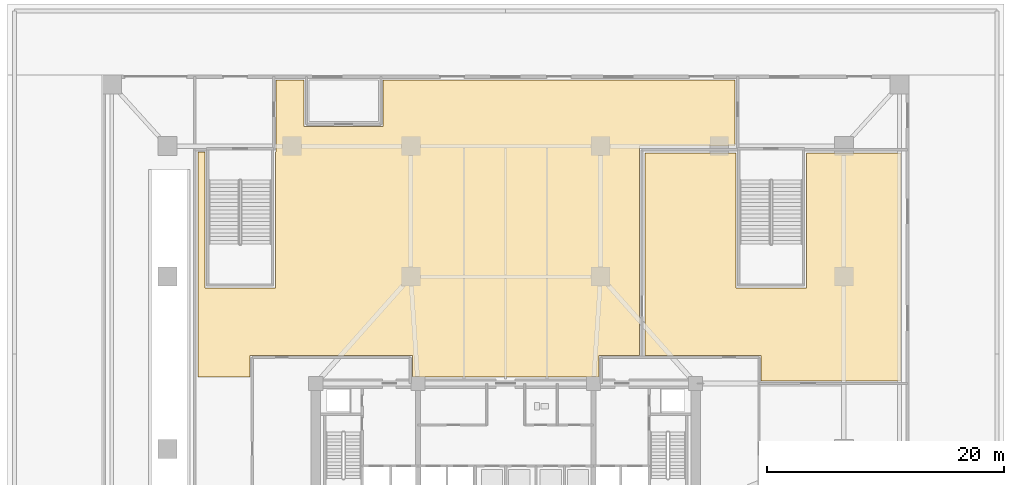
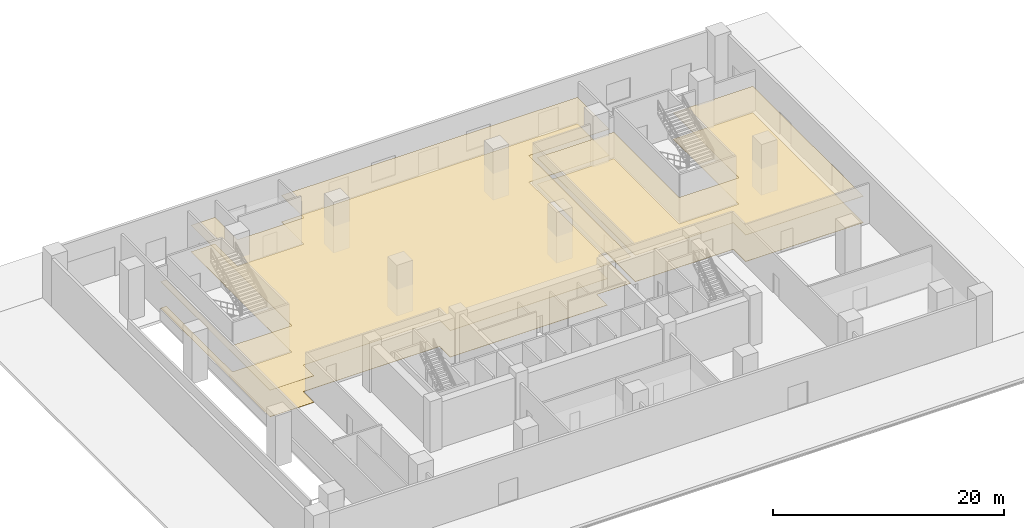
# One storey, part 12 of 15: 4 coverings.
"""IFC4 building model written with IfcOpenShell, lengths in metres."""

from ifc_helpers import new_model, si_unit, direction, frame, origin, place, context, subcontext, project, spatial, polyline, outline, extrude, material, layer, layer_set, type_object, element, save


model = new_model("IFC4")

# Units and contexts
model_context = context("Model", 3, precision=1e-05, world=origin(), true_north=direction((0.0, 1.0)))
body_context = subcontext(model_context, "Body", "Model", "MODEL_VIEW")
ifc_project = project(units=[si_unit("LENGTHUNIT", "METRE"), si_unit("AREAUNIT", "SQUARE_METRE"), si_unit("VOLUMEUNIT", "CUBIC_METRE"), si_unit("PLANEANGLEUNIT", "RADIAN"), si_unit("MASSUNIT", "GRAM", prefix="KILO")], contexts=[model_context])

# Site, building, storey
site_placement = place(None, origin())
site = spatial("IfcSite", under=ifc_project, at=site_placement, CompositionType="ELEMENT")
building_placement = place(site_placement, origin())
building = spatial("IfcBuilding", under=site, at=building_placement, Name="Solmavex Isthmus Hotel", CompositionType="ELEMENT")
storey_placement = place(building_placement, origin())
storey = spatial("IfcBuildingStorey", under=building, at=storey_placement, Name="L01", CompositionType="ELEMENT", Elevation=0.0)

# Coverings
ifc_material_1 = material(Name="Gypsum plasterboard lining", Category="gypsum")
ifc_layer_1 = layer(ifc_material_1, 0.030029296875)
ifc_layer_set_1 = layer_set([ifc_layer_1], Name="Gypsum plasterboard lining")
covering_type_1 = type_object("IfcCoveringType", Name="COV-CEIL-GYP", PredefinedType="CEILING", material=ifc_layer_set_1)
covering_1_placement = place(storey_placement, frame((0.0, 0.0, 2.800048828125)))
element("IfcCovering", 1, at=covering_1_placement, inside=storey, type_object=covering_type_1, Name="Suspended Acoustic Ceiling L01-ATR", PredefinedType="CEILING", context=body_context, shape_type="SweptSolid", body=[
    extrude(outline(polyline([(-19.39990234375, 17.02001953125), (-19.39990234375, 5.550048828125), (-25.35009765625, 5.550048828125), (-25.35009765625, 17.02001953125), (-25.919921875, 17.02001953125), (-25.919921875, -1.969970703125), (-21.530029296875, -1.969970703125), (-21.530029296875, -0.1201171875), (-7.8701171875, -0.1201171875), (-7.8701171875, -1.969970703125), (7.8701171875, -1.969970703125), (7.8701171875, -0.1201171875), (11.27001953125, -0.1201171875), (11.27001953125, 17.530029296875), (19.320068359375, 17.530029296875), (19.320068359375, 23.070068359375), (-10.320068359375, 23.070068359375), (-10.320068359375, 19.169921875), (-16.97998046875, 19.169921875), (-16.97998046875, 23.070068359375), (-19.3701171875, 23.070068359375), (-19.3701171875, 17.02001953125), (-19.39990234375, 17.02001953125)])), origin(), (0.0, 0.0, 1.0), 0.030029296875),
])
covering_2_placement = place(storey_placement, frame((0.0, 0.0, 2.800048828125)))
element("IfcCovering", 2, at=covering_2_placement, inside=storey, type_object=covering_type_1, Name="Suspended Acoustic Ceiling L01-DIN", PredefinedType="CEILING", context=body_context, shape_type="SweptSolid", body=[
    extrude(outline(polyline([(11.72998046875, 16.919921875), (11.72998046875, -0.1201171875), (21.530029296875, -0.1201171875), (21.530029296875, -2.27001953125), (33.320068359375, -2.27001953125), (33.320068359375, 16.919921875), (25.35009765625, 16.919921875), (25.35009765625, 5.550048828125), (19.39990234375, 5.550048828125), (19.39990234375, 16.919921875), (11.72998046875, 16.919921875)])), origin(), (0.0, 0.0, 1.0), 0.030029296875),
])
ifc_material_2 = material(Name="Travertine natural stone", Category="masonry")
ifc_layer_2 = layer(ifc_material_2, 0.02490234375)
ifc_layer_set_2 = layer_set([ifc_layer_2], Name="Travertine natural stone")
covering_type_2 = type_object("IfcCoveringType", Name="COV-FLOR-STN", PredefinedType="FLOORING", material=ifc_layer_set_2)
covering_3_placement = place(storey_placement, origin())
element("IfcCovering", 3, at=covering_3_placement, inside=storey, type_object=covering_type_2, Name="Stone and Timber Floor Finish L01-ATR", PredefinedType="FLOORING", context=body_context, shape_type="SweptSolid", body=[
    extrude(outline(polyline([(-19.39990234375, 17.02001953125), (-19.39990234375, 5.550048828125), (-25.35009765625, 5.550048828125), (-25.35009765625, 17.02001953125), (-25.919921875, 17.02001953125), (-25.919921875, -1.969970703125), (-21.530029296875, -1.969970703125), (-21.530029296875, -0.1201171875), (-7.8701171875, -0.1201171875), (-7.8701171875, -1.969970703125), (7.8701171875, -1.969970703125), (7.8701171875, -0.1201171875), (11.27001953125, -0.1201171875), (11.27001953125, 17.530029296875), (19.320068359375, 17.530029296875), (19.320068359375, 23.070068359375), (-10.320068359375, 23.070068359375), (-10.320068359375, 19.169921875), (-16.97998046875, 19.169921875), (-16.97998046875, 23.070068359375), (-19.3701171875, 23.070068359375), (-19.3701171875, 17.02001953125), (-19.39990234375, 17.02001953125)])), origin(), (0.0, 0.0, 1.0), 0.02490234375),
])
covering_4_placement = place(storey_placement, origin())
element("IfcCovering", 4, at=covering_4_placement, inside=storey, type_object=covering_type_2, Name="Stone and Timber Floor Finish L01-DIN", PredefinedType="FLOORING", context=body_context, shape_type="SweptSolid", body=[
    extrude(outline(polyline([(11.72998046875, 16.919921875), (11.72998046875, -0.1201171875), (21.530029296875, -0.1201171875), (21.530029296875, -2.27001953125), (33.320068359375, -2.27001953125), (33.320068359375, 16.919921875), (25.35009765625, 16.919921875), (25.35009765625, 5.550048828125), (19.39990234375, 5.550048828125), (19.39990234375, 16.919921875), (11.72998046875, 16.919921875)])), origin(), (0.0, 0.0, 1.0), 0.02490234375),
])

save(model, "model.ifc")
